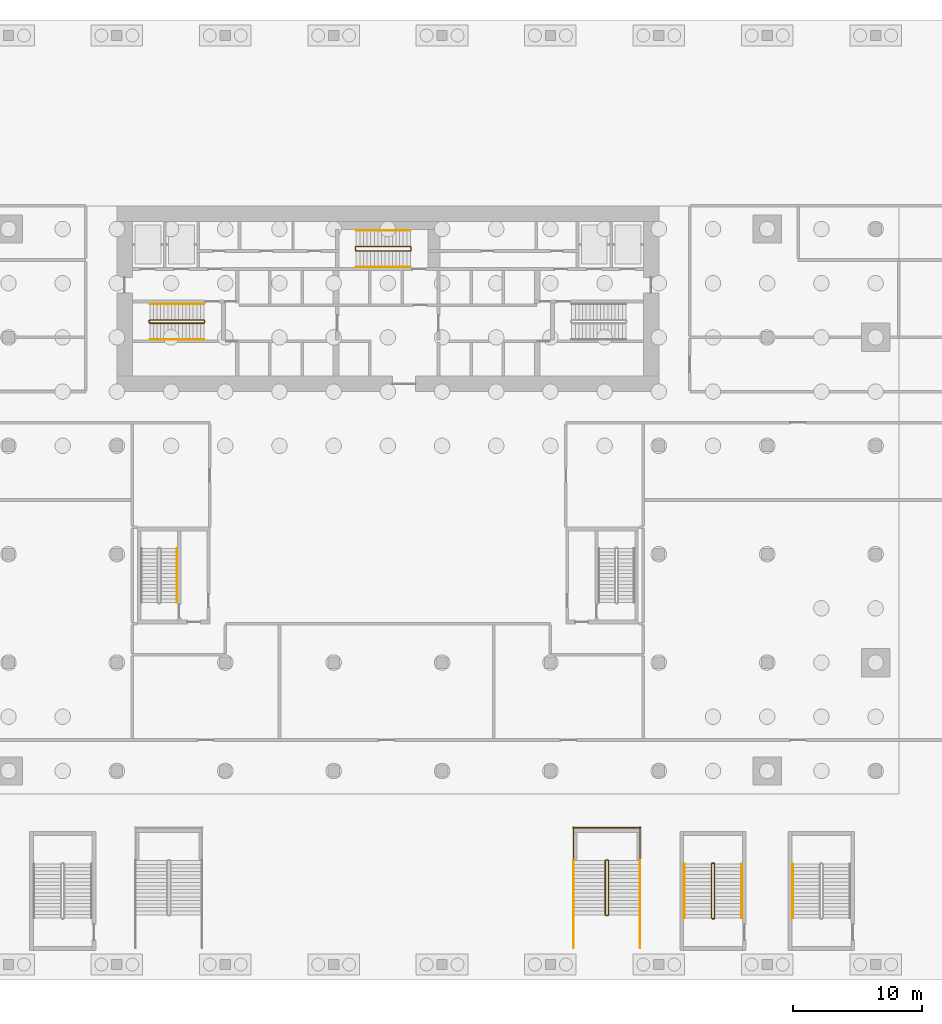
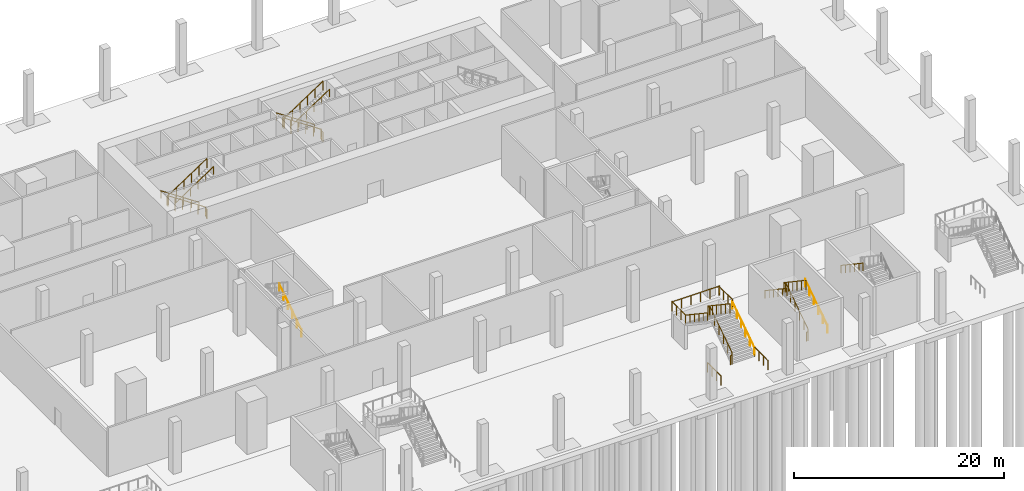
# One storey, part 14 of 16: 17 railings.
"""IFC4 building model written with IfcOpenShell, lengths in metres."""

from ifc_helpers import new_model, si_unit, direction, frame, origin, origin_2d, place, context, subcontext, project, spatial, circle, extrude, material, type_object, element, save


model = new_model("IFC4")

# Units and contexts
model_context = context("Model", 3, precision=1e-05, world=origin(), true_north=direction((0.0, 1.0)))
body_context = subcontext(model_context, "Body", "Model", "MODEL_VIEW")
ifc_project = project(units=[si_unit("LENGTHUNIT", "METRE"), si_unit("AREAUNIT", "SQUARE_METRE"), si_unit("VOLUMEUNIT", "CUBIC_METRE"), si_unit("PLANEANGLEUNIT", "RADIAN"), si_unit("MASSUNIT", "GRAM", prefix="KILO")], contexts=[model_context])

# Site, building, storey
site_placement = place(None, origin())
site = spatial("IfcSite", under=ifc_project, at=site_placement, CompositionType="ELEMENT")
building_placement = place(site_placement, origin())
building = spatial("IfcBuilding", under=site, at=building_placement, Name="Saffron Gate Tower", CompositionType="ELEMENT")
storey_placement = place(building_placement, frame((0.0, 0.0, -6.0)))
storey = spatial("IfcBuildingStorey", under=building, at=storey_placement, Name="B1", CompositionType="ELEMENT", Elevation=-6.0)

# Railings
ifc_material_1 = material(Name="Stainless steel and laminated glass", Category="steel")
railing_type_1 = type_object("IfcRailingType", Name="CR1 Stair guard 1100", PredefinedType="GUARDRAIL", material=ifc_material_1)
railing_1_placement = place(storey_placement, frame((104.5, 20.60009765625, 0.0)))
element("IfcRailing", 1, at=railing_1_placement, inside=storey, type_object=railing_type_1, Name="B1 SS3 stair guard 1", PredefinedType="GUARDRAIL", context=body_context, shape_type="SweptSolid", body=[
    extrude(circle(Radius=0.02392578125, at=origin_2d()), frame((0.0, 0.0, 1.076171875), z_axis=(1.0, 0.0, 0.0), x_axis=(0.0, 1.0, 0.0)), (0.0, 0.0, 1.0), 0.14990234375),
    extrude(circle(Radius=0.02392578125, at=origin_2d()), frame((0.14990234375, 0.0, 1.076171875), z_axis=(0.249802250048, 0.248583702486, 0.935844527007), x_axis=(-0.705375805398, 0.708833529934, 0.0)), (0.0, 0.0, 1.0), 0.200439453125),
    extrude(circle(Radius=0.02392578125, at=origin_2d()), frame((0.199951171875, 0.0498046875, 1.263671875), z_axis=(0.0, 0.830919138977, 0.55639319234), x_axis=(-1.0, 0.0, 0.0)), (0.0, 0.0, 1.0), 5.054931640625),
    extrude(circle(Radius=0.02392578125, at=origin_2d()), frame((0.199951171875, 4.25, 4.076171875), z_axis=(-0.708833529934, 0.705375805398, 0.0), x_axis=(-0.705375805398, -0.708833529934, 0.0)), (0.0, 0.0, 1.0), 0.070556640625),
    extrude(circle(Radius=0.02392578125, at=origin_2d()), frame((0.14990234375, 4.2998046875, 4.076171875), z_axis=(-1.0, 0.0, 0.0), x_axis=(0.0, -1.0, 0.0)), (0.0, 0.0, 1.0), 0.14990234375),
    extrude(circle(Radius=0.02392578125, at=origin_2d()), frame((0.0, 4.2998046875, 4.076171875), z_axis=(-0.249802250048, -0.248583702486, 0.935844527007), x_axis=(0.705375805398, -0.708833529934, 0.0)), (0.0, 0.0, 1.0), 0.200439453125),
    extrude(circle(Radius=0.02392578125, at=origin_2d()), frame((-0.050048828125, 4.25, 4.263671875), z_axis=(0.0, -0.830919138977, 0.55639319234), x_axis=(1.0, 0.0, 0.0)), (0.0, 0.0, 1.0), 5.054931640625),
    extrude(circle(Radius=0.02099609375, at=origin_2d()), origin(), (0.0, 0.0, 1.0), 1.052001953125),
    extrude(circle(Radius=0.02099609375, at=origin_2d()), frame((0.14990234375, 0.0, 0.0)), (0.0, 0.0, 1.0), 1.052001953125),
    extrude(circle(Radius=0.02099609375, at=origin_2d()), frame((0.199951171875, 0.0498046875, 0.1875)), (0.0, 0.0, 1.0), 1.052001953125),
    extrude(circle(Radius=0.02099609375, at=origin_2d()), frame((0.199951171875, 0.889892578125, 0.75)), (0.0, 0.0, 1.0), 1.052001953125),
    extrude(circle(Radius=0.02099609375, at=origin_2d()), frame((0.199951171875, 1.72998046875, 1.3125)), (0.0, 0.0, 1.0), 1.052001953125),
    extrude(circle(Radius=0.02099609375, at=origin_2d()), frame((0.199951171875, 2.56982421875, 1.875)), (0.0, 0.0, 1.0), 1.052001953125),
    extrude(circle(Radius=0.02099609375, at=origin_2d()), frame((0.199951171875, 3.409912109375, 2.4375)), (0.0, 0.0, 1.0), 1.052001953125),
    extrude(circle(Radius=0.02099609375, at=origin_2d()), frame((0.199951171875, 4.25, 3.0)), (0.0, 0.0, 1.0), 1.052001953125),
    extrude(circle(Radius=0.02099609375, at=origin_2d()), frame((0.14990234375, 4.2998046875, 3.0)), (0.0, 0.0, 1.0), 1.052001953125),
    extrude(circle(Radius=0.02099609375, at=origin_2d()), frame((0.0, 4.2998046875, 3.0)), (0.0, 0.0, 1.0), 1.052001953125),
    extrude(circle(Radius=0.02099609375, at=origin_2d()), frame((-0.050048828125, 4.25, 3.1875)), (0.0, 0.0, 1.0), 1.052001953125),
    extrude(circle(Radius=0.02099609375, at=origin_2d()), frame((-0.050048828125, 3.409912109375, 3.75)), (0.0, 0.0, 1.0), 1.052001953125),
    extrude(circle(Radius=0.02099609375, at=origin_2d()), frame((-0.050048828125, 2.56982421875, 4.3125)), (0.0, 0.0, 1.0), 1.052001953125),
    extrude(circle(Radius=0.02099609375, at=origin_2d()), frame((-0.050048828125, 1.72998046875, 4.875)), (0.0, 0.0, 1.0), 1.052001953125),
    extrude(circle(Radius=0.02099609375, at=origin_2d()), frame((-0.050048828125, 0.889892578125, 5.4375)), (0.0, 0.0, 1.0), 1.052001953125),
    extrude(circle(Radius=0.02099609375, at=origin_2d()), frame((-0.050048828125, 0.0498046875, 6.0)), (0.0, 0.0, 1.0), 1.052001953125),
])
railing_2_placement = place(storey_placement, frame((107.14990234375, 24.85009765625, 3.0)))
element("IfcRailing", 2, at=railing_2_placement, inside=storey, type_object=railing_type_1, Name="B1 SS3 stair guard 2", PredefinedType="GUARDRAIL", context=body_context, shape_type="SweptSolid", body=[
    extrude(circle(Radius=0.02392578125, at=origin_2d()), frame((0.0, 0.0, 1.076171875), z_axis=(0.0, 1.0, 0.0), x_axis=(-1.0, 0.0, 0.0)), (0.0, 0.0, 1.0), 2.599853515625),
    extrude(circle(Radius=0.02392578125, at=origin_2d()), frame((0.0, 2.599853515625, 1.076171875), z_axis=(0.707106781187, -0.707106781187, 0.0), x_axis=(0.707106781187, 0.707106781187, 0.0)), (0.0, 0.0, 1.0), 0.07080078125),
    extrude(circle(Radius=0.02392578125, at=origin_2d()), frame((0.050048828125, 2.5498046875, 1.076171875), z_axis=(-1.0, 0.0, 0.0), x_axis=(0.0, -1.0, 0.0)), (0.0, 0.0, 1.0), 5.25),
    extrude(circle(Radius=0.02392578125, at=origin_2d()), frame((-5.199951171875, 2.5498046875, 1.076171875), z_axis=(0.707106781187, 0.707106781187, 0.0), x_axis=(-0.707106781187, 0.707106781187, 0.0)), (0.0, 0.0, 1.0), 0.07080078125),
    extrude(circle(Radius=0.02392578125, at=origin_2d()), frame((-5.14990234375, 2.599853515625, 1.076171875), z_axis=(0.0, -1.0, 0.0), x_axis=(1.0, 0.0, 0.0)), (0.0, 0.0, 1.0), 2.599853515625),
    extrude(circle(Radius=0.02099609375, at=origin_2d()), origin(), (0.0, 0.0, 1.0), 1.052001953125),
    extrude(circle(Radius=0.02099609375, at=origin_2d()), frame((0.0, 0.86669921875, 0.0)), (0.0, 0.0, 1.0), 1.052001953125),
    extrude(circle(Radius=0.02099609375, at=origin_2d()), frame((0.0, 1.733154296875, 0.0)), (0.0, 0.0, 1.0), 1.052001953125),
    extrude(circle(Radius=0.02099609375, at=origin_2d()), frame((0.0, 2.599853515625, 0.0)), (0.0, 0.0, 1.0), 1.052001953125),
    extrude(circle(Radius=0.02099609375, at=origin_2d()), frame((0.050048828125, 2.5498046875, 0.0)), (0.0, 0.0, 1.0), 1.052001953125),
    extrude(circle(Radius=0.02099609375, at=origin_2d()), frame((-1.0, 2.5498046875, 0.0)), (0.0, 0.0, 1.0), 1.052001953125),
    extrude(circle(Radius=0.02099609375, at=origin_2d()), frame((-2.050048828125, 2.5498046875, 0.0)), (0.0, 0.0, 1.0), 1.052001953125),
    extrude(circle(Radius=0.02099609375, at=origin_2d()), frame((-3.099853515625, 2.5498046875, 0.0)), (0.0, 0.0, 1.0), 1.052001953125),
    extrude(circle(Radius=0.02099609375, at=origin_2d()), frame((-4.14990234375, 2.5498046875, 0.0)), (0.0, 0.0, 1.0), 1.052001953125),
    extrude(circle(Radius=0.02099609375, at=origin_2d()), frame((-5.199951171875, 2.5498046875, 0.0)), (0.0, 0.0, 1.0), 1.052001953125),
    extrude(circle(Radius=0.02099609375, at=origin_2d()), frame((-5.14990234375, 2.599853515625, 0.0)), (0.0, 0.0, 1.0), 1.052001953125),
    extrude(circle(Radius=0.02099609375, at=origin_2d()), frame((-5.14990234375, 1.733154296875, 0.0)), (0.0, 0.0, 1.0), 1.052001953125),
    extrude(circle(Radius=0.02099609375, at=origin_2d()), frame((-5.14990234375, 0.86669921875, 0.0)), (0.0, 0.0, 1.0), 1.052001953125),
    extrude(circle(Radius=0.02099609375, at=origin_2d()), frame((-5.14990234375, 0.0, 0.0)), (0.0, 0.0, 1.0), 1.052001953125),
])
for number, where, name in (
    (3, (107.14990234375, 18.10009765625, 0.0), "B1 SS3 stair guard 3"),
    (4, (102.0, 18.10009765625, 0.0), "B1 SS3 stair guard 4"),
):
    element("IfcRailing", number, at=place(storey_placement, frame(where)), inside=storey, type_object=railing_type_1, Name=name, PredefinedType="GUARDRAIL", context=body_context, shape_type="SweptSolid", body=[
        extrude(circle(Radius=0.02392578125, at=origin_2d()), frame((0.0, 0.0, 1.076171875), z_axis=(0.0, 1.0, 0.0), x_axis=(-1.0, 0.0, 0.0)), (0.0, 0.0, 1.0), 2.5498046875),
        extrude(circle(Radius=0.02099609375, at=origin_2d()), origin(), (0.0, 0.0, 1.0), 1.052001953125),
        extrude(circle(Radius=0.02099609375, at=origin_2d()), frame((0.0, 0.849853515625, 0.0)), (0.0, 0.0, 1.0), 1.052001953125),
        extrude(circle(Radius=0.02099609375, at=origin_2d()), frame((0.0, 1.699951171875, 0.0)), (0.0, 0.0, 1.0), 1.052001953125),
        extrude(circle(Radius=0.02099609375, at=origin_2d()), frame((0.0, 2.5498046875, 0.0)), (0.0, 0.0, 1.0), 1.052001953125),
    ])
railing_3_placement = place(storey_placement, frame((73.39990234375, 66.550048828125, 0.0)))
element("IfcRailing", 5, at=railing_3_placement, inside=storey, type_object=railing_type_1, Name="B1 ST-A stair guard 1", PredefinedType="GUARDRAIL", context=body_context, shape_type="SweptSolid", body=[
    extrude(circle(Radius=0.02392578125, at=origin_2d()), frame((0.0, 0.0, 1.076171875), z_axis=(0.0, 1.0, 0.0), x_axis=(-1.0, 0.0, 0.0)), (0.0, 0.0, 1.0), 0.14990234375),
    extrude(circle(Radius=0.02392578125, at=origin_2d()), frame((0.0, 0.14990234375, 1.076171875), z_axis=(-0.248583702486, 0.249802250048, 0.935844527007), x_axis=(-0.708833529934, -0.705375805398, 0.0)), (0.0, 0.0, 1.0), 0.200439453125),
    extrude(circle(Radius=0.02392578125, at=origin_2d()), frame((-0.0498046875, 0.199951171875, 1.263671875), z_axis=(-0.830919138977, 0.0, 0.55639319234), x_axis=(0.0, -1.0, 0.0)), (0.0, 0.0, 1.0), 5.054931640625),
    extrude(circle(Radius=0.02392578125, at=origin_2d()), frame((-4.25, 0.199951171875, 4.076171875), z_axis=(-0.705375805398, -0.708833529934, 0.0), x_axis=(0.708833529934, -0.705375805398, 0.0)), (0.0, 0.0, 1.0), 0.070556640625),
    extrude(circle(Radius=0.02392578125, at=origin_2d()), frame((-4.2998046875, 0.14990234375, 4.076171875), z_axis=(0.0, -1.0, 0.0), x_axis=(1.0, 0.0, 0.0)), (0.0, 0.0, 1.0), 0.14990234375),
    extrude(circle(Radius=0.02392578125, at=origin_2d()), frame((-4.2998046875, 0.0, 4.076171875), z_axis=(0.248583702486, -0.249802250048, 0.935844527007), x_axis=(0.708833529934, 0.705375805398, 0.0)), (0.0, 0.0, 1.0), 0.200439453125),
    extrude(circle(Radius=0.02392578125, at=origin_2d()), frame((-4.25, -0.050048828125, 4.263671875), z_axis=(0.830919138977, 0.0, 0.55639319234), x_axis=(0.0, 1.0, 0.0)), (0.0, 0.0, 1.0), 5.054931640625),
    extrude(circle(Radius=0.02099609375, at=origin_2d()), origin(), (0.0, 0.0, 1.0), 1.052001953125),
    extrude(circle(Radius=0.02099609375, at=origin_2d()), frame((0.0, 0.14990234375, 0.0)), (0.0, 0.0, 1.0), 1.052001953125),
    extrude(circle(Radius=0.02099609375, at=origin_2d()), frame((-0.0498046875, 0.199951171875, 0.1875)), (0.0, 0.0, 1.0), 1.052001953125),
    extrude(circle(Radius=0.02099609375, at=origin_2d()), frame((-0.889892578125, 0.199951171875, 0.75)), (0.0, 0.0, 1.0), 1.052001953125),
    extrude(circle(Radius=0.02099609375, at=origin_2d()), frame((-1.72998046875, 0.199951171875, 1.3125)), (0.0, 0.0, 1.0), 1.052001953125),
    extrude(circle(Radius=0.02099609375, at=origin_2d()), frame((-2.56982421875, 0.199951171875, 1.875)), (0.0, 0.0, 1.0), 1.052001953125),
    extrude(circle(Radius=0.02099609375, at=origin_2d()), frame((-3.409912109375, 0.199951171875, 2.4375)), (0.0, 0.0, 1.0), 1.052001953125),
    extrude(circle(Radius=0.02099609375, at=origin_2d()), frame((-4.25, 0.199951171875, 3.0)), (0.0, 0.0, 1.0), 1.052001953125),
    extrude(circle(Radius=0.02099609375, at=origin_2d()), frame((-4.2998046875, 0.14990234375, 3.0)), (0.0, 0.0, 1.0), 1.052001953125),
    extrude(circle(Radius=0.02099609375, at=origin_2d()), frame((-4.2998046875, 0.0, 3.0)), (0.0, 0.0, 1.0), 1.052001953125),
    extrude(circle(Radius=0.02099609375, at=origin_2d()), frame((-4.25, -0.050048828125, 3.1875)), (0.0, 0.0, 1.0), 1.052001953125),
    extrude(circle(Radius=0.02099609375, at=origin_2d()), frame((-3.409912109375, -0.050048828125, 3.75)), (0.0, 0.0, 1.0), 1.052001953125),
    extrude(circle(Radius=0.02099609375, at=origin_2d()), frame((-2.56982421875, -0.050048828125, 4.3125)), (0.0, 0.0, 1.0), 1.052001953125),
    extrude(circle(Radius=0.02099609375, at=origin_2d()), frame((-1.72998046875, -0.050048828125, 4.875)), (0.0, 0.0, 1.0), 1.052001953125),
    extrude(circle(Radius=0.02099609375, at=origin_2d()), frame((-0.889892578125, -0.050048828125, 5.4375)), (0.0, 0.0, 1.0), 1.052001953125),
    extrude(circle(Radius=0.02099609375, at=origin_2d()), frame((-0.0498046875, -0.050048828125, 6.0)), (0.0, 0.0, 1.0), 1.052001953125),
])
railing_4_placement = place(storey_placement, frame((89.39990234375, 72.14990234375, 0.0)))
element("IfcRailing", 6, at=railing_4_placement, inside=storey, type_object=railing_type_1, Name="B1 ST-C stair guard 1", PredefinedType="GUARDRAIL", context=body_context, shape_type="SweptSolid", body=[
    extrude(circle(Radius=0.02392578125, at=origin_2d()), frame((0.0, 0.0, 1.076171875), z_axis=(0.0, 1.0, 0.0), x_axis=(-1.0, 0.0, 0.0)), (0.0, 0.0, 1.0), 0.25),
    extrude(circle(Radius=0.02392578125, at=origin_2d()), frame((0.0, 0.25, 1.076171875), z_axis=(-0.248583702486, 0.249802250048, 0.935844527007), x_axis=(-0.708833529934, -0.705375805398, 0.0)), (0.0, 0.0, 1.0), 0.200439453125),
    extrude(circle(Radius=0.02392578125, at=origin_2d()), frame((-0.0498046875, 0.300048828125, 1.263671875), z_axis=(-0.830919138977, 0.0, 0.55639319234), x_axis=(0.0, -1.0, 0.0)), (0.0, 0.0, 1.0), 5.054931640625),
    extrude(circle(Radius=0.02392578125, at=origin_2d()), frame((-4.25, 0.300048828125, 4.076171875), z_axis=(-0.705375805398, -0.708833529934, 0.0), x_axis=(0.708833529934, -0.705375805398, 0.0)), (0.0, 0.0, 1.0), 0.070556640625),
    extrude(circle(Radius=0.02392578125, at=origin_2d()), frame((-4.2998046875, 0.25, 4.076171875), z_axis=(0.0, -1.0, 0.0), x_axis=(1.0, 0.0, 0.0)), (0.0, 0.0, 1.0), 0.25),
    extrude(circle(Radius=0.02392578125, at=origin_2d()), frame((-4.2998046875, 0.0, 4.076171875), z_axis=(0.248659220195, -0.248659220195, 0.936128828968), x_axis=(0.707106781187, 0.707106781187, 0.0)), (0.0, 0.0, 1.0), 0.2001953125),
    extrude(circle(Radius=0.02392578125, at=origin_2d()), frame((-4.25, -0.0498046875, 4.263671875), z_axis=(0.830919138977, 0.0, 0.55639319234), x_axis=(0.0, 1.0, 0.0)), (0.0, 0.0, 1.0), 5.054931640625),
    extrude(circle(Radius=0.02099609375, at=origin_2d()), origin(), (0.0, 0.0, 1.0), 1.052001953125),
    extrude(circle(Radius=0.02099609375, at=origin_2d()), frame((0.0, 0.25, 0.0)), (0.0, 0.0, 1.0), 1.052001953125),
    extrude(circle(Radius=0.02099609375, at=origin_2d()), frame((-0.0498046875, 0.300048828125, 0.1875)), (0.0, 0.0, 1.0), 1.052001953125),
    extrude(circle(Radius=0.02099609375, at=origin_2d()), frame((-0.889892578125, 0.300048828125, 0.75)), (0.0, 0.0, 1.0), 1.052001953125),
    extrude(circle(Radius=0.02099609375, at=origin_2d()), frame((-1.72998046875, 0.300048828125, 1.3125)), (0.0, 0.0, 1.0), 1.052001953125),
    extrude(circle(Radius=0.02099609375, at=origin_2d()), frame((-2.56982421875, 0.300048828125, 1.875)), (0.0, 0.0, 1.0), 1.052001953125),
    extrude(circle(Radius=0.02099609375, at=origin_2d()), frame((-3.409912109375, 0.300048828125, 2.4375)), (0.0, 0.0, 1.0), 1.052001953125),
    extrude(circle(Radius=0.02099609375, at=origin_2d()), frame((-4.25, 0.300048828125, 3.0)), (0.0, 0.0, 1.0), 1.052001953125),
    extrude(circle(Radius=0.02099609375, at=origin_2d()), frame((-4.2998046875, 0.25, 3.0)), (0.0, 0.0, 1.0), 1.052001953125),
    extrude(circle(Radius=0.02099609375, at=origin_2d()), frame((-4.2998046875, 0.0, 3.0)), (0.0, 0.0, 1.0), 1.052001953125),
    extrude(circle(Radius=0.02099609375, at=origin_2d()), frame((-4.25, -0.0498046875, 3.1875)), (0.0, 0.0, 1.0), 1.052001953125),
    extrude(circle(Radius=0.02099609375, at=origin_2d()), frame((-3.409912109375, -0.0498046875, 3.75)), (0.0, 0.0, 1.0), 1.052001953125),
    extrude(circle(Radius=0.02099609375, at=origin_2d()), frame((-2.56982421875, -0.0498046875, 4.3125)), (0.0, 0.0, 1.0), 1.052001953125),
    extrude(circle(Radius=0.02099609375, at=origin_2d()), frame((-1.72998046875, -0.0498046875, 4.875)), (0.0, 0.0, 1.0), 1.052001953125),
    extrude(circle(Radius=0.02099609375, at=origin_2d()), frame((-0.889892578125, -0.0498046875, 5.4375)), (0.0, 0.0, 1.0), 1.052001953125),
    extrude(circle(Radius=0.02099609375, at=origin_2d()), frame((-0.0498046875, -0.0498046875, 6.0)), (0.0, 0.0, 1.0), 1.052001953125),
])
railing_5_placement = place(storey_placement, frame((112.72509765625, 20.35009765625, 0.0)))
element("IfcRailing", 7, at=railing_5_placement, inside=storey, type_object=railing_type_1, Name="B1 ST-N stair guard 1", PredefinedType="GUARDRAIL", context=body_context, shape_type="SweptSolid", body=[
    extrude(circle(Radius=0.02392578125, at=origin_2d()), frame((0.0, 0.0, 1.076171875), z_axis=(1.0, 0.0, 0.0), x_axis=(0.0, 1.0, 0.0)), (0.0, 0.0, 1.0), 0.14990234375),
    extrude(circle(Radius=0.02392578125, at=origin_2d()), frame((0.14990234375, 0.0, 1.076171875), z_axis=(0.249802250048, 0.248583702486, 0.935844527007), x_axis=(-0.705375805398, 0.708833529934, 0.0)), (0.0, 0.0, 1.0), 0.200439453125),
    extrude(circle(Radius=0.02392578125, at=origin_2d()), frame((0.199951171875, 0.0498046875, 1.263671875), z_axis=(0.0, 0.830919138977, 0.55639319234), x_axis=(-1.0, 0.0, 0.0)), (0.0, 0.0, 1.0), 5.054931640625),
    extrude(circle(Radius=0.02392578125, at=origin_2d()), frame((0.199951171875, 4.25, 4.076171875), z_axis=(-0.708833529934, 0.705375805398, 0.0), x_axis=(-0.705375805398, -0.708833529934, 0.0)), (0.0, 0.0, 1.0), 0.070556640625),
    extrude(circle(Radius=0.02392578125, at=origin_2d()), frame((0.14990234375, 4.2998046875, 4.076171875), z_axis=(-1.0, 0.0, 0.0), x_axis=(0.0, -1.0, 0.0)), (0.0, 0.0, 1.0), 0.14990234375),
    extrude(circle(Radius=0.02392578125, at=origin_2d()), frame((0.0, 4.2998046875, 4.076171875), z_axis=(-0.249802250048, -0.248583702486, 0.935844527007), x_axis=(0.705375805398, -0.708833529934, 0.0)), (0.0, 0.0, 1.0), 0.200439453125),
    extrude(circle(Radius=0.02392578125, at=origin_2d()), frame((-0.050048828125, 4.25, 4.263671875), z_axis=(0.0, -0.830919138977, 0.55639319234), x_axis=(1.0, 0.0, 0.0)), (0.0, 0.0, 1.0), 5.054931640625),
    extrude(circle(Radius=0.02099609375, at=origin_2d()), origin(), (0.0, 0.0, 1.0), 1.052001953125),
    extrude(circle(Radius=0.02099609375, at=origin_2d()), frame((0.14990234375, 0.0, 0.0)), (0.0, 0.0, 1.0), 1.052001953125),
    extrude(circle(Radius=0.02099609375, at=origin_2d()), frame((0.199951171875, 0.0498046875, 0.1875)), (0.0, 0.0, 1.0), 1.052001953125),
    extrude(circle(Radius=0.02099609375, at=origin_2d()), frame((0.199951171875, 0.889892578125, 0.75)), (0.0, 0.0, 1.0), 1.052001953125),
    extrude(circle(Radius=0.02099609375, at=origin_2d()), frame((0.199951171875, 1.72998046875, 1.3125)), (0.0, 0.0, 1.0), 1.052001953125),
    extrude(circle(Radius=0.02099609375, at=origin_2d()), frame((0.199951171875, 2.56982421875, 1.875)), (0.0, 0.0, 1.0), 1.052001953125),
    extrude(circle(Radius=0.02099609375, at=origin_2d()), frame((0.199951171875, 3.409912109375, 2.4375)), (0.0, 0.0, 1.0), 1.052001953125),
    extrude(circle(Radius=0.02099609375, at=origin_2d()), frame((0.199951171875, 4.25, 3.0)), (0.0, 0.0, 1.0), 1.052001953125),
    extrude(circle(Radius=0.02099609375, at=origin_2d()), frame((0.14990234375, 4.2998046875, 3.0)), (0.0, 0.0, 1.0), 1.052001953125),
    extrude(circle(Radius=0.02099609375, at=origin_2d()), frame((0.0, 4.2998046875, 3.0)), (0.0, 0.0, 1.0), 1.052001953125),
    extrude(circle(Radius=0.02099609375, at=origin_2d()), frame((-0.050048828125, 4.25, 3.1875)), (0.0, 0.0, 1.0), 1.052001953125),
    extrude(circle(Radius=0.02099609375, at=origin_2d()), frame((-0.050048828125, 3.409912109375, 3.75)), (0.0, 0.0, 1.0), 1.052001953125),
    extrude(circle(Radius=0.02099609375, at=origin_2d()), frame((-0.050048828125, 2.56982421875, 4.3125)), (0.0, 0.0, 1.0), 1.052001953125),
    extrude(circle(Radius=0.02099609375, at=origin_2d()), frame((-0.050048828125, 1.72998046875, 4.875)), (0.0, 0.0, 1.0), 1.052001953125),
    extrude(circle(Radius=0.02099609375, at=origin_2d()), frame((-0.050048828125, 0.889892578125, 5.4375)), (0.0, 0.0, 1.0), 1.052001953125),
    extrude(circle(Radius=0.02099609375, at=origin_2d()), frame((-0.050048828125, 0.0498046875, 6.0)), (0.0, 0.0, 1.0), 1.052001953125),
])
ifc_material_2 = material(Name="Stainless steel", Category="steel")
railing_type_2 = type_object("IfcRailingType", Name="CR2 Stair handrail 900", PredefinedType="HANDRAIL", material=ifc_material_2)
railing_6_placement = place(storey_placement, frame((107.14990234375, 20.64990234375, 0.1875)))
element("IfcRailing", 8, at=railing_6_placement, inside=storey, type_object=railing_type_2, Name="B1 SS3 stair handrail 1", PredefinedType="HANDRAIL", context=body_context, shape_type="SweptSolid", body=[
    extrude(circle(Radius=0.02392578125, at=origin_2d()), frame((0.0, 0.0, 0.8759765625), z_axis=(0.0, 0.830919138977, 0.55639319234), x_axis=(-1.0, 0.0, 0.0)), (0.0, 0.0, 1.0), 5.054931640625),
    extrude(circle(Radius=0.02099609375, at=origin_2d()), origin(), (0.0, 0.0, 1.0), 0.851806640625),
    extrude(circle(Radius=0.02099609375, at=origin_2d()), frame((0.0, 0.840087890625, 0.5625)), (0.0, 0.0, 1.0), 0.851806640625),
    extrude(circle(Radius=0.02099609375, at=origin_2d()), frame((0.0, 1.68017578125, 1.125)), (0.0, 0.0, 1.0), 0.851806640625),
    extrude(circle(Radius=0.02099609375, at=origin_2d()), frame((0.0, 2.52001953125, 1.6875)), (0.0, 0.0, 1.0), 0.851806640625),
    extrude(circle(Radius=0.02099609375, at=origin_2d()), frame((0.0, 3.360107421875, 2.25)), (0.0, 0.0, 1.0), 0.851806640625),
    extrude(circle(Radius=0.02099609375, at=origin_2d()), frame((0.0, 4.2001953125, 2.8125)), (0.0, 0.0, 1.0), 0.851806640625),
])
railing_7_placement = place(storey_placement, frame((102.0, 24.85009765625, 3.1875)))
element("IfcRailing", 9, at=railing_7_placement, inside=storey, type_object=railing_type_2, Name="B1 SS3 stair handrail 2", PredefinedType="HANDRAIL", context=body_context, shape_type="SweptSolid", body=[
    extrude(circle(Radius=0.02392578125, at=origin_2d()), frame((0.0, 0.0, 0.8759765625), z_axis=(0.0, -0.830919138977, 0.55639319234), x_axis=(1.0, 0.0, 0.0)), (0.0, 0.0, 1.0), 5.054931640625),
    extrude(circle(Radius=0.02099609375, at=origin_2d()), origin(), (0.0, 0.0, 1.0), 0.851806640625),
    extrude(circle(Radius=0.02099609375, at=origin_2d()), frame((0.0, -0.840087890625, 0.5625)), (0.0, 0.0, 1.0), 0.851806640625),
    extrude(circle(Radius=0.02099609375, at=origin_2d()), frame((0.0, -1.68017578125, 1.125)), (0.0, 0.0, 1.0), 0.851806640625),
    extrude(circle(Radius=0.02099609375, at=origin_2d()), frame((0.0, -2.52001953125, 1.6875)), (0.0, 0.0, 1.0), 0.851806640625),
    extrude(circle(Radius=0.02099609375, at=origin_2d()), frame((0.0, -3.360107421875, 2.25)), (0.0, 0.0, 1.0), 0.851806640625),
    extrude(circle(Radius=0.02099609375, at=origin_2d()), frame((0.0, -4.2001953125, 2.8125)), (0.0, 0.0, 1.0), 0.851806640625),
])
railing_8_placement = place(storey_placement, frame((73.35009765625, 68.0, 0.1875)))
element("IfcRailing", 10, at=railing_8_placement, inside=storey, type_object=railing_type_2, Name="B1 ST-A stair handrail 1", PredefinedType="HANDRAIL", context=body_context, shape_type="SweptSolid", body=[
    extrude(circle(Radius=0.02392578125, at=origin_2d()), frame((0.0, 0.0, 0.8759765625), z_axis=(-0.830919138977, 0.0, 0.55639319234), x_axis=(0.0, -1.0, 0.0)), (0.0, 0.0, 1.0), 5.054931640625),
    extrude(circle(Radius=0.02099609375, at=origin_2d()), origin(), (0.0, 0.0, 1.0), 0.851806640625),
    extrude(circle(Radius=0.02099609375, at=origin_2d()), frame((-0.840087890625, 0.0, 0.5625)), (0.0, 0.0, 1.0), 0.851806640625),
    extrude(circle(Radius=0.02099609375, at=origin_2d()), frame((-1.68017578125, 0.0, 1.125)), (0.0, 0.0, 1.0), 0.851806640625),
    extrude(circle(Radius=0.02099609375, at=origin_2d()), frame((-2.52001953125, 0.0, 1.6875)), (0.0, 0.0, 1.0), 0.851806640625),
    extrude(circle(Radius=0.02099609375, at=origin_2d()), frame((-3.360107421875, 0.0, 2.25)), (0.0, 0.0, 1.0), 0.851806640625),
    extrude(circle(Radius=0.02099609375, at=origin_2d()), frame((-4.2001953125, 0.0, 2.8125)), (0.0, 0.0, 1.0), 0.851806640625),
])
railing_9_placement = place(storey_placement, frame((69.14990234375, 65.25, 3.1875)))
element("IfcRailing", 11, at=railing_9_placement, inside=storey, type_object=railing_type_2, Name="B1 ST-A stair handrail 2", PredefinedType="HANDRAIL", context=body_context, shape_type="SweptSolid", body=[
    extrude(circle(Radius=0.02392578125, at=origin_2d()), frame((0.0, 0.0, 0.8759765625), z_axis=(0.830919138977, 0.0, 0.55639319234), x_axis=(0.0, 1.0, 0.0)), (0.0, 0.0, 1.0), 5.054931640625),
    extrude(circle(Radius=0.02099609375, at=origin_2d()), origin(), (0.0, 0.0, 1.0), 0.851806640625),
    extrude(circle(Radius=0.02099609375, at=origin_2d()), frame((0.840087890625, 0.0, 0.5625)), (0.0, 0.0, 1.0), 0.851806640625),
    extrude(circle(Radius=0.02099609375, at=origin_2d()), frame((1.68017578125, 0.0, 1.125)), (0.0, 0.0, 1.0), 0.851806640625),
    extrude(circle(Radius=0.02099609375, at=origin_2d()), frame((2.52001953125, 0.0, 1.6875)), (0.0, 0.0, 1.0), 0.851806640625),
    extrude(circle(Radius=0.02099609375, at=origin_2d()), frame((3.360107421875, 0.0, 2.25)), (0.0, 0.0, 1.0), 0.851806640625),
    extrude(circle(Radius=0.02099609375, at=origin_2d()), frame((4.2001953125, 0.0, 2.8125)), (0.0, 0.0, 1.0), 0.851806640625),
])
railing_10_placement = place(storey_placement, frame((89.35009765625, 73.699951171875, 0.1875)))
element("IfcRailing", 12, at=railing_10_placement, inside=storey, type_object=railing_type_2, Name="B1 ST-C stair handrail 1", PredefinedType="HANDRAIL", context=body_context, shape_type="SweptSolid", body=[
    extrude(circle(Radius=0.02392578125, at=origin_2d()), frame((0.0, 0.0, 0.8759765625), z_axis=(-0.830919138977, 0.0, 0.55639319234), x_axis=(0.0, -1.0, 0.0)), (0.0, 0.0, 1.0), 5.054931640625),
    extrude(circle(Radius=0.02099609375, at=origin_2d()), origin(), (0.0, 0.0, 1.0), 0.851806640625),
    extrude(circle(Radius=0.02099609375, at=origin_2d()), frame((-0.840087890625, 0.0, 0.5625)), (0.0, 0.0, 1.0), 0.851806640625),
    extrude(circle(Radius=0.02099609375, at=origin_2d()), frame((-1.68017578125, 0.0, 1.125)), (0.0, 0.0, 1.0), 0.851806640625),
    extrude(circle(Radius=0.02099609375, at=origin_2d()), frame((-2.52001953125, 0.0, 1.6875)), (0.0, 0.0, 1.0), 0.851806640625),
    extrude(circle(Radius=0.02099609375, at=origin_2d()), frame((-3.360107421875, 0.0, 2.25)), (0.0, 0.0, 1.0), 0.851806640625),
    extrude(circle(Radius=0.02099609375, at=origin_2d()), frame((-4.2001953125, 0.0, 2.8125)), (0.0, 0.0, 1.0), 0.851806640625),
])
railing_11_placement = place(storey_placement, frame((85.14990234375, 70.85009765625, 3.1875)))
element("IfcRailing", 13, at=railing_11_placement, inside=storey, type_object=railing_type_2, Name="B1 ST-C stair handrail 2", PredefinedType="HANDRAIL", context=body_context, shape_type="SweptSolid", body=[
    extrude(circle(Radius=0.02392578125, at=origin_2d()), frame((0.0, 0.0, 0.8759765625), z_axis=(0.830919138977, 0.0, 0.55639319234), x_axis=(0.0, 1.0, 0.0)), (0.0, 0.0, 1.0), 5.054931640625),
    extrude(circle(Radius=0.02099609375, at=origin_2d()), origin(), (0.0, 0.0, 1.0), 0.851806640625),
    extrude(circle(Radius=0.02099609375, at=origin_2d()), frame((0.840087890625, 0.0, 0.5625)), (0.0, 0.0, 1.0), 0.851806640625),
    extrude(circle(Radius=0.02099609375, at=origin_2d()), frame((1.68017578125, 0.0, 1.125)), (0.0, 0.0, 1.0), 0.851806640625),
    extrude(circle(Radius=0.02099609375, at=origin_2d()), frame((2.52001953125, 0.0, 1.6875)), (0.0, 0.0, 1.0), 0.851806640625),
    extrude(circle(Radius=0.02099609375, at=origin_2d()), frame((3.360107421875, 0.0, 2.25)), (0.0, 0.0, 1.0), 0.851806640625),
    extrude(circle(Radius=0.02099609375, at=origin_2d()), frame((4.2001953125, 0.0, 2.8125)), (0.0, 0.0, 1.0), 0.851806640625),
])
railing_12_placement = place(storey_placement, frame((71.25, 44.85009765625, 0.1875)))
element("IfcRailing", 14, at=railing_12_placement, inside=storey, type_object=railing_type_2, Name="B1 ST-D stair handrail 1", PredefinedType="HANDRAIL", context=body_context, shape_type="SweptSolid", body=[
    extrude(circle(Radius=0.02392578125, at=origin_2d()), frame((0.0, 0.0, 0.8759765625), z_axis=(0.0, 0.830904186295, 0.556415522067), x_axis=(-1.0, 0.0, 0.0)), (0.0, 0.0, 1.0), 5.0546875),
    extrude(circle(Radius=0.02099609375, at=origin_2d()), origin(), (0.0, 0.0, 1.0), 0.851806640625),
    extrude(circle(Radius=0.02099609375, at=origin_2d()), frame((0.0, 0.840087890625, 0.5625)), (0.0, 0.0, 1.0), 0.851806640625),
    extrude(circle(Radius=0.02099609375, at=origin_2d()), frame((0.0, 1.679931640625, 1.125)), (0.0, 0.0, 1.0), 0.851806640625),
    extrude(circle(Radius=0.02099609375, at=origin_2d()), frame((0.0, 2.52001953125, 1.6875)), (0.0, 0.0, 1.0), 0.851806640625),
    extrude(circle(Radius=0.02099609375, at=origin_2d()), frame((0.0, 3.35986328125, 2.25)), (0.0, 0.0, 1.0), 0.851806640625),
    extrude(circle(Radius=0.02099609375, at=origin_2d()), frame((0.0, 4.199951171875, 2.8125)), (0.0, 0.0, 1.0), 0.851806640625),
])
railing_13_placement = place(storey_placement, frame((118.97509765625, 24.60009765625, 3.1875)))
element("IfcRailing", 15, at=railing_13_placement, inside=storey, type_object=railing_type_2, Name="B1 ST-M stair handrail 2", PredefinedType="HANDRAIL", context=body_context, shape_type="SweptSolid", body=[
    extrude(circle(Radius=0.02392578125, at=origin_2d()), frame((0.0, 0.0, 0.8759765625), z_axis=(0.0, -0.830919138977, 0.55639319234), x_axis=(1.0, 0.0, 0.0)), (0.0, 0.0, 1.0), 5.054931640625),
    extrude(circle(Radius=0.02099609375, at=origin_2d()), origin(), (0.0, 0.0, 1.0), 0.851806640625),
    extrude(circle(Radius=0.02099609375, at=origin_2d()), frame((0.0, -0.840087890625, 0.5625)), (0.0, 0.0, 1.0), 0.851806640625),
    extrude(circle(Radius=0.02099609375, at=origin_2d()), frame((0.0, -1.68017578125, 1.125)), (0.0, 0.0, 1.0), 0.851806640625),
    extrude(circle(Radius=0.02099609375, at=origin_2d()), frame((0.0, -2.52001953125, 1.6875)), (0.0, 0.0, 1.0), 0.851806640625),
    extrude(circle(Radius=0.02099609375, at=origin_2d()), frame((0.0, -3.360107421875, 2.25)), (0.0, 0.0, 1.0), 0.851806640625),
    extrude(circle(Radius=0.02099609375, at=origin_2d()), frame((0.0, -4.2001953125, 2.8125)), (0.0, 0.0, 1.0), 0.851806640625),
])
railing_14_placement = place(storey_placement, frame((115.02490234375, 20.39990234375, 0.1875)))
element("IfcRailing", 16, at=railing_14_placement, inside=storey, type_object=railing_type_2, Name="B1 ST-N stair handrail 1", PredefinedType="HANDRAIL", context=body_context, shape_type="SweptSolid", body=[
    extrude(circle(Radius=0.02392578125, at=origin_2d()), frame((0.0, 0.0, 0.8759765625), z_axis=(0.0, 0.830919138977, 0.55639319234), x_axis=(-1.0, 0.0, 0.0)), (0.0, 0.0, 1.0), 5.054931640625),
    extrude(circle(Radius=0.02099609375, at=origin_2d()), origin(), (0.0, 0.0, 1.0), 0.851806640625),
    extrude(circle(Radius=0.02099609375, at=origin_2d()), frame((0.0, 0.840087890625, 0.5625)), (0.0, 0.0, 1.0), 0.851806640625),
    extrude(circle(Radius=0.02099609375, at=origin_2d()), frame((0.0, 1.68017578125, 1.125)), (0.0, 0.0, 1.0), 0.851806640625),
    extrude(circle(Radius=0.02099609375, at=origin_2d()), frame((0.0, 2.52001953125, 1.6875)), (0.0, 0.0, 1.0), 0.851806640625),
    extrude(circle(Radius=0.02099609375, at=origin_2d()), frame((0.0, 3.360107421875, 2.25)), (0.0, 0.0, 1.0), 0.851806640625),
    extrude(circle(Radius=0.02099609375, at=origin_2d()), frame((0.0, 4.2001953125, 2.8125)), (0.0, 0.0, 1.0), 0.851806640625),
])
railing_15_placement = place(storey_placement, frame((110.574951171875, 24.60009765625, 3.1875)))
element("IfcRailing", 17, at=railing_15_placement, inside=storey, type_object=railing_type_2, Name="B1 ST-N stair handrail 2", PredefinedType="HANDRAIL", context=body_context, shape_type="SweptSolid", body=[
    extrude(circle(Radius=0.02392578125, at=origin_2d()), frame((0.0, 0.0, 0.8759765625), z_axis=(0.0, -0.830919138977, 0.55639319234), x_axis=(1.0, 0.0, 0.0)), (0.0, 0.0, 1.0), 5.054931640625),
    extrude(circle(Radius=0.02099609375, at=origin_2d()), origin(), (0.0, 0.0, 1.0), 0.851806640625),
    extrude(circle(Radius=0.02099609375, at=origin_2d()), frame((0.0, -0.840087890625, 0.5625)), (0.0, 0.0, 1.0), 0.851806640625),
    extrude(circle(Radius=0.02099609375, at=origin_2d()), frame((0.0, -1.68017578125, 1.125)), (0.0, 0.0, 1.0), 0.851806640625),
    extrude(circle(Radius=0.02099609375, at=origin_2d()), frame((0.0, -2.52001953125, 1.6875)), (0.0, 0.0, 1.0), 0.851806640625),
    extrude(circle(Radius=0.02099609375, at=origin_2d()), frame((0.0, -3.360107421875, 2.25)), (0.0, 0.0, 1.0), 0.851806640625),
    extrude(circle(Radius=0.02099609375, at=origin_2d()), frame((0.0, -4.2001953125, 2.8125)), (0.0, 0.0, 1.0), 0.851806640625),
])

save(model, "model.ifc")
